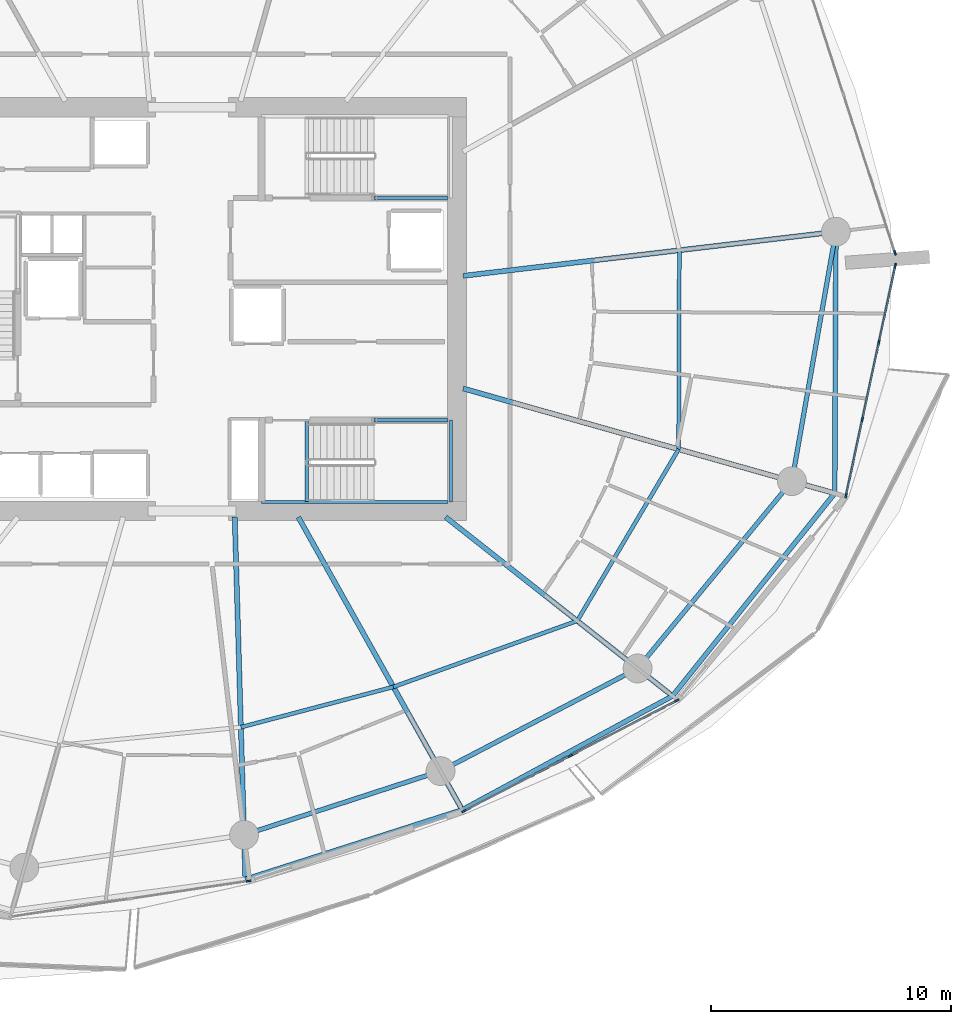
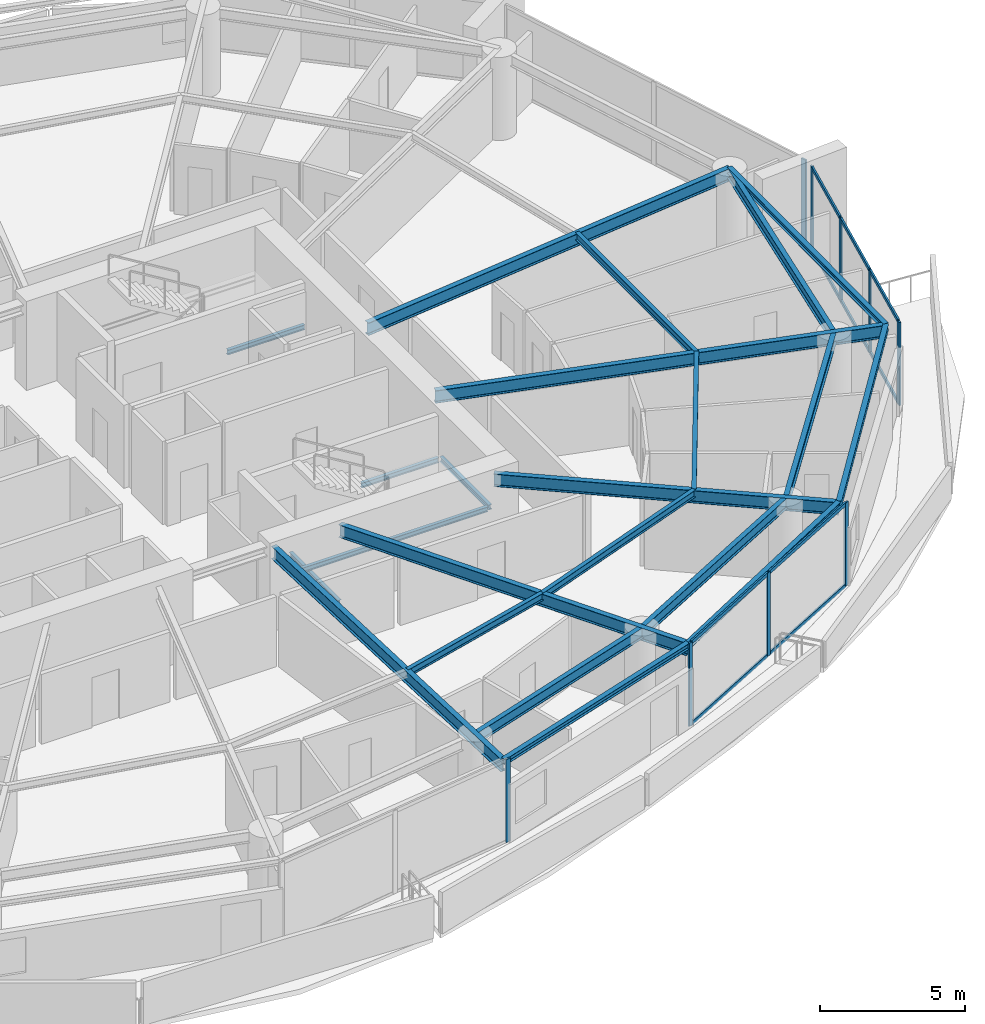
# One storey, part 7 of 23: 22 beams, 19 members, 4 elements without a shape of their own.
"""IFC4 building model written with IfcOpenShell, lengths in metres."""

from ifc_helpers import new_model, si_unit, direction, frame, origin, origin_2d, place, context, subcontext, project, spatial, rectangle, i_section, extrude, material, layer, layer_set, material_profile, profile_set, type_object, element, aggregate, save


model = new_model("IFC4")

# Units and contexts
model_context = context("Model", 3, precision=1e-05, world=origin(), true_north=direction((0.0, 1.0)))
body_context = subcontext(model_context, "Body", "Model", "MODEL_VIEW")
ifc_project = project(units=[si_unit("LENGTHUNIT", "METRE"), si_unit("AREAUNIT", "SQUARE_METRE"), si_unit("VOLUMEUNIT", "CUBIC_METRE"), si_unit("PLANEANGLEUNIT", "RADIAN"), si_unit("MASSUNIT", "GRAM", prefix="KILO")], contexts=[model_context])

# Site, building, storey
site_placement = place(None, origin())
site = spatial("IfcSite", under=ifc_project, at=site_placement, CompositionType="ELEMENT")
building_placement = place(site_placement, origin())
building = spatial("IfcBuilding", under=site, at=building_placement, Name="Kazma Halo Residences", CompositionType="ELEMENT")
storey_placement = place(building_placement, frame((0.0, 0.0, 82.64990234375)))
storey = spatial("IfcBuildingStorey", under=building, at=storey_placement, Name="L20", CompositionType="ELEMENT", Elevation=82.64990234375)

# Beams
ifc_material_1 = material(Name="Steel S355", Category="steel")
ifc_material_profile_1 = material_profile(ifc_material_1, i_section(OverallWidth=0.201904296875, OverallDepth=0.2470703125, WebThickness=0.00732421875, FlangeThickness=0.010986328125, FilletRadius=0.011962890625, at=origin_2d()), Name="W250x49.1")
ifc_profile_set_1 = profile_set([ifc_material_profile_1], Name="Steel S355")
beam_type_1 = type_object("IfcBeamType", Name="BM-BAL-CANT", PredefinedType="BEAM", material=ifc_profile_set_1)
beam_1_placement = place(storey_placement, frame((50.642578125, 18.28173828125, 3.376708984375), z_axis=(0.952319061301, 0.305103925709, 0.0), x_axis=(-0.305103925709, 0.952319061301, 0.0)))
element("IfcBeam", 1, at=beam_1_placement, inside=storey, type_object=beam_type_1, Name="L20 wave-balcony tie beam 12", PredefinedType="BEAM", context=body_context, shape_type="SweptSolid", body=[
    extrude(i_section(OverallWidth=0.201904296875, OverallDepth=0.2470703125, WebThickness=0.00732421875, FlangeThickness=0.010986328125, FilletRadius=0.011962890625, at=origin_2d()), origin(), (0.0, 0.0, 1.0), 9.473388671875),
])
beam_2_placement = place(storey_placement, frame((59.664306640625, 21.172119140625, 3.376708984375), z_axis=(0.87930438671, 0.476260218276, 0.0), x_axis=(-0.476260218276, 0.87930438671, 0.0)))
element("IfcBeam", 2, at=beam_2_placement, inside=storey, type_object=beam_type_1, Name="L20 wave-balcony tie beam 13", PredefinedType="BEAM", context=body_context, shape_type="SweptSolid", body=[
    extrude(i_section(OverallWidth=0.201904296875, OverallDepth=0.2470703125, WebThickness=0.00732421875, FlangeThickness=0.010986328125, FilletRadius=0.011962890625, at=origin_2d()), origin(), (0.0, 0.0, 1.0), 9.94677734375),
])
beam_3_placement = place(storey_placement, frame((68.41064453125, 25.909423828125, 3.376708984375), z_axis=(0.62477775999, 0.78080263231, 0.0), x_axis=(-0.78080263231, 0.62477775999, 0.0)))
element("IfcBeam", 3, at=beam_3_placement, inside=storey, type_object=beam_type_1, Name="L20 wave-balcony tie beam 14", PredefinedType="BEAM", context=body_context, shape_type="SweptSolid", body=[
    extrude(i_section(OverallWidth=0.201904296875, OverallDepth=0.2470703125, WebThickness=0.00732421875, FlangeThickness=0.010986328125, FilletRadius=0.011962890625, at=origin_2d()), origin(), (0.0, 0.0, 1.0), 10.79833984375),
])
beam_4_placement = place(storey_placement, frame((75.1572265625, 34.3408203125, 3.376708984375), z_axis=(0.004532963616, 0.999989726068, 0.0), x_axis=(-0.999989726068, 0.004532963616, 0.0)))
element("IfcBeam", 4, at=beam_4_placement, inside=storey, type_object=beam_type_1, Name="L20 wave-balcony tie beam 15", PredefinedType="BEAM", context=body_context, shape_type="SweptSolid", body=[
    extrude(i_section(OverallWidth=0.201904296875, OverallDepth=0.2470703125, WebThickness=0.00732421875, FlangeThickness=0.010986328125, FilletRadius=0.011962890625, at=origin_2d()), origin(), (0.0, 0.0, 1.0), 10.87939453125),
])
ifc_material_profile_2 = material_profile(ifc_material_1, i_section(OverallWidth=0.208984375, OverallDepth=0.532958984375, WebThickness=0.01025390625, FlangeThickness=0.015625, FilletRadius=0.01611328125, at=origin_2d()), Name="W530x92")
ifc_profile_set_2 = profile_set([ifc_material_profile_2], Name="Steel S355")
beam_type_2 = type_object("IfcBeamType", Name="BM-RAD-W530", PredefinedType="BEAM", material=ifc_profile_set_2)
beam_5_placement = place(storey_placement, frame((50.199951171875, 33.35009765625, 3.233642578125), z_axis=(0.029361929959, -0.999568845587, 0.0), x_axis=(0.999568845587, 0.029361929959, 0.0)))
element("IfcBeam", 5, at=beam_5_placement, inside=storey, type_object=beam_type_2, Name="L20 radial floor beam 12", PredefinedType="BEAM", context=body_context, shape_type="SweptSolid", body=[
    extrude(i_section(OverallWidth=0.208984375, OverallDepth=0.532958984375, WebThickness=0.01025390625, FlangeThickness=0.015625, FilletRadius=0.01611328125, at=origin_2d()), origin(), (0.0, 0.0, 1.0), 15.074951171875),
])
beam_6_placement = place(storey_placement, frame((52.84423828125, 33.35009765625, 3.233642578125), z_axis=(0.488625206529, -0.872493786536, 0.0), x_axis=(0.872493786536, 0.488625206529, 0.0)))
element("IfcBeam", 6, at=beam_6_placement, inside=storey, type_object=beam_type_2, Name="L20 radial floor beam 13", PredefinedType="BEAM", context=body_context, shape_type="SweptSolid", body=[
    extrude(i_section(OverallWidth=0.208984375, OverallDepth=0.532958984375, WebThickness=0.01025390625, FlangeThickness=0.015625, FilletRadius=0.01611328125, at=origin_2d()), origin(), (0.0, 0.0, 1.0), 13.957763671875),
])
beam_7_placement = place(storey_placement, frame((58.972412109375, 33.35009765625, 3.233642578125), z_axis=(0.785309999923, -0.619102741086, 0.0), x_axis=(0.619102741086, 0.785309999923, 0.0)))
element("IfcBeam", 7, at=beam_7_placement, inside=storey, type_object=beam_type_2, Name="L20 radial floor beam 14", PredefinedType="BEAM", context=body_context, shape_type="SweptSolid", body=[
    extrude(i_section(OverallWidth=0.208984375, OverallDepth=0.532958984375, WebThickness=0.01025390625, FlangeThickness=0.015625, FilletRadius=0.01611328125, at=origin_2d()), origin(), (0.0, 0.0, 1.0), 12.0185546875),
])
beam_8_placement = place(storey_placement, frame((59.699951171875, 38.7001953125, 3.233642578125), z_axis=(0.962455684158, -0.271438862419, 0.0), x_axis=(0.271438862419, 0.962455684158, 0.0)))
element("IfcBeam", 8, at=beam_8_placement, inside=storey, type_object=beam_type_2, Name="L20 radial floor beam 15", PredefinedType="BEAM", context=body_context, shape_type="SweptSolid", body=[
    extrude(i_section(OverallWidth=0.208984375, OverallDepth=0.532958984375, WebThickness=0.01025390625, FlangeThickness=0.015625, FilletRadius=0.01611328125, at=origin_2d()), origin(), (0.0, 0.0, 1.0), 16.060302734375),
])
beam_9_placement = place(storey_placement, frame((59.699951171875, 43.384765625, 3.233642578125), z_axis=(0.993067536486, 0.1175451742, 0.0), x_axis=(-0.1175451742, 0.993067536486, 0.0)))
element("IfcBeam", 9, at=beam_9_placement, inside=storey, type_object=beam_type_2, Name="L20 radial floor beam 16", PredefinedType="BEAM", context=body_context, shape_type="SweptSolid", body=[
    extrude(i_section(OverallWidth=0.208984375, OverallDepth=0.532958984375, WebThickness=0.01025390625, FlangeThickness=0.015625, FilletRadius=0.01611328125, at=origin_2d()), origin(), (0.0, 0.0, 1.0), 15.61474609375),
])
ifc_material_profile_3 = material_profile(ifc_material_1, i_section(OverallWidth=0.1650390625, OverallDepth=0.31005859375, WebThickness=0.005859375, FlangeThickness=0.009765625, FilletRadius=0.011962890625, at=origin_2d()), Name="W310x38.7")
ifc_profile_set_3 = profile_set([ifc_material_profile_3], Name="Steel S355")
beam_type_3 = type_object("IfcBeamType", Name="BM-SEC-W310B", PredefinedType="JOIST", material=ifc_profile_set_3)
beam_10_placement = place(storey_placement, frame((50.456787109375, 24.6103515625, 3.34521484375), z_axis=(0.966800191214, 0.255533540398, 0.0), x_axis=(-0.255533540398, 0.966800191214, 0.0)))
element("IfcBeam", 10, at=beam_10_placement, inside=storey, type_object=beam_type_3, Name="L20 circumferential floor joist 12", PredefinedType="JOIST", context=body_context, shape_type="SweptSolid", body=[
    extrude(i_section(OverallWidth=0.1650390625, OverallDepth=0.31005859375, WebThickness=0.005859375, FlangeThickness=0.009765625, FilletRadius=0.011962890625, at=origin_2d()), origin(), (0.0, 0.0, 1.0), 6.560791015625),
])
beam_11_placement = place(storey_placement, frame((56.7998046875, 26.286865234375, 3.34521484375), z_axis=(0.941097126818, 0.338136359913, 0.0), x_axis=(-0.338136359913, 0.941097126818, 0.0)))
element("IfcBeam", 11, at=beam_11_placement, inside=storey, type_object=beam_type_3, Name="L20 circumferential floor joist 13", PredefinedType="JOIST", context=body_context, shape_type="SweptSolid", body=[
    extrude(i_section(OverallWidth=0.1650390625, OverallDepth=0.31005859375, WebThickness=0.005859375, FlangeThickness=0.009765625, FilletRadius=0.011962890625, at=origin_2d()), origin(), (0.0, 0.0, 1.0), 8.12548828125),
])
beam_12_placement = place(storey_placement, frame((64.44677734375, 29.034423828125, 3.34521484375), z_axis=(0.508811652677, 0.860877867122, 0.0), x_axis=(-0.860877867122, 0.508811652677, 0.0)))
element("IfcBeam", 12, at=beam_12_placement, inside=storey, type_object=beam_type_3, Name="L20 circumferential floor joist 14", PredefinedType="JOIST", context=body_context, shape_type="SweptSolid", body=[
    extrude(i_section(OverallWidth=0.1650390625, OverallDepth=0.31005859375, WebThickness=0.005859375, FlangeThickness=0.009765625, FilletRadius=0.011962890625, at=origin_2d()), origin(), (0.0, 0.0, 1.0), 8.291015625),
])
beam_13_placement = place(storey_placement, frame((68.665283203125, 36.171875, 3.34521484375), z_axis=(0.003450899697, 0.999994045628, 0.0), x_axis=(-0.999994045628, 0.003450899697, 0.0)))
element("IfcBeam", 13, at=beam_13_placement, inside=storey, type_object=beam_type_3, Name="L20 circumferential floor joist 15", PredefinedType="JOIST", context=body_context, shape_type="SweptSolid", body=[
    extrude(i_section(OverallWidth=0.1650390625, OverallDepth=0.31005859375, WebThickness=0.005859375, FlangeThickness=0.009765625, FilletRadius=0.011962890625, at=origin_2d()), origin(), (0.0, 0.0, 1.0), 8.27734375),
])
ifc_material_profile_4 = material_profile(ifc_material_1, i_section(OverallWidth=0.18994140625, OverallDepth=0.45703125, WebThickness=0.009033203125, FlangeThickness=0.014404296875, FilletRadius=0.01611328125, at=origin_2d()), Name="W460x74")
ifc_profile_set_4 = profile_set([ifc_material_profile_4], Name="Steel S355")
beam_type_4 = type_object("IfcBeamType", Name="BM-SPN-W460", PredefinedType="BEAM", material=ifc_profile_set_4)
beam_14_placement = place(storey_placement, frame((50.58837890625, 20.130859375, 3.271484375), z_axis=(0.951054111927, 0.30902439416, 0.0), x_axis=(-0.30902439416, 0.951054111927, 0.0)))
element("IfcBeam", 14, at=beam_14_placement, inside=storey, type_object=beam_type_4, Name="L20 perimeter ring beam 12", PredefinedType="BEAM", context=body_context, shape_type="SweptSolid", body=[
    extrude(i_section(OverallWidth=0.18994140625, OverallDepth=0.45703125, WebThickness=0.009033203125, FlangeThickness=0.014404296875, FilletRadius=0.01611328125, at=origin_2d()), origin(), (0.0, 0.0, 1.0), 8.592529296875),
])
beam_15_placement = place(storey_placement, frame((58.76025390625, 22.7861328125, 3.271484375), z_axis=(0.886963229644, 0.461840047266, 0.0), x_axis=(-0.461840047266, 0.886963229644, 0.0)))
element("IfcBeam", 15, at=beam_15_placement, inside=storey, type_object=beam_type_4, Name="L20 perimeter ring beam 13", PredefinedType="BEAM", context=body_context, shape_type="SweptSolid", body=[
    extrude(i_section(OverallWidth=0.18994140625, OverallDepth=0.45703125, WebThickness=0.009033203125, FlangeThickness=0.014404296875, FilletRadius=0.01611328125, at=origin_2d()), origin(), (0.0, 0.0, 1.0), 9.242431640625),
])
beam_16_placement = place(storey_placement, frame((66.9580078125, 27.0546875, 3.271484375), z_axis=(0.635989564566, 0.771697656963, 0.0), x_axis=(-0.771697656963, 0.635989564566, 0.0)))
element("IfcBeam", 16, at=beam_16_placement, inside=storey, type_object=beam_type_4, Name="L20 perimeter ring beam 14", PredefinedType="BEAM", context=body_context, shape_type="SweptSolid", body=[
    extrude(i_section(OverallWidth=0.18994140625, OverallDepth=0.45703125, WebThickness=0.009033203125, FlangeThickness=0.014404296875, FilletRadius=0.01611328125, at=origin_2d()), origin(), (0.0, 0.0, 1.0), 10.092529296875),
])
beam_17_placement = place(storey_placement, frame((73.376708984375, 34.843017578125, 3.271484375), z_axis=(0.173653159051, 0.984806874647, 0.0), x_axis=(-0.984806874647, 0.173653159051, 0.0)))
element("IfcBeam", 17, at=beam_17_placement, inside=storey, type_object=beam_type_4, Name="L20 perimeter ring beam 15", PredefinedType="BEAM", context=body_context, shape_type="SweptSolid", body=[
    extrude(i_section(OverallWidth=0.18994140625, OverallDepth=0.45703125, WebThickness=0.009033203125, FlangeThickness=0.014404296875, FilletRadius=0.01611328125, at=origin_2d()), origin(), (0.0, 0.0, 1.0), 10.537353515625),
])
ifc_material_profile_5 = material_profile(ifc_material_1, i_section(OverallWidth=0.133056640625, OverallDepth=0.20703125, WebThickness=0.005859375, FlangeThickness=0.00830078125, FilletRadius=0.010009765625, at=origin_2d()), Name="W200x26.6")
ifc_profile_set_5 = profile_set([ifc_material_profile_5], Name="Steel S355")
beam_type_5 = type_object("IfcBeamType", Name="BM-TRIM-W200", PredefinedType="BEAM", material=ifc_profile_set_5)
beam_18_placement = place(storey_placement, frame((53.199951171875, 34.0, -0.35986328125), z_axis=(0.0, 1.0, 0.0), x_axis=(-1.0, 0.0, 0.0)))
element("IfcBeam", 18, at=beam_18_placement, inside=storey, type_object=beam_type_5, Name="L20 ST-03 floor landing support beam", PredefinedType="BEAM", context=body_context, shape_type="SweptSolid", body=[
    extrude(i_section(OverallWidth=0.133056640625, OverallDepth=0.20703125, WebThickness=0.005859375, FlangeThickness=0.00830078125, FilletRadius=0.010009765625, at=origin_2d()), origin(), (0.0, 0.0, 1.0), 3.3798828125),
])
beam_19_placement = place(storey_placement, frame((56.0, 46.6201171875, 1.570068359375), z_axis=(1.0, 0.0, 0.0), x_axis=(0.0, 1.0, 0.0)))
element("IfcBeam", 19, at=beam_19_placement, inside=storey, type_object=beam_type_5, Name="L20 ST-02 landing south wall ledger", PredefinedType="BEAM", context=body_context, shape_type="SweptSolid", body=[
    extrude(i_section(OverallWidth=0.133056640625, OverallDepth=0.20703125, WebThickness=0.005859375, FlangeThickness=0.00830078125, FilletRadius=0.010009765625, at=origin_2d()), origin(), (0.0, 0.0, 1.0), 3.070068359375),
])
beam_20_placement = place(storey_placement, frame((51.31005859375, 33.97998046875, 1.570068359375), z_axis=(1.0, 0.0, 0.0), x_axis=(0.0, 1.0, 0.0)))
element("IfcBeam", 20, at=beam_20_placement, inside=storey, type_object=beam_type_5, Name="L20 ST-03 landing south wall ledger", PredefinedType="BEAM", context=body_context, shape_type="SweptSolid", body=[
    extrude(i_section(OverallWidth=0.133056640625, OverallDepth=0.20703125, WebThickness=0.005859375, FlangeThickness=0.00830078125, FilletRadius=0.010009765625, at=origin_2d()), origin(), (0.0, 0.0, 1.0), 7.760009765625),
])
beam_21_placement = place(storey_placement, frame((56.0, 37.3798828125, 1.570068359375), z_axis=(1.0, 0.0, 0.0), x_axis=(0.0, 1.0, 0.0)))
element("IfcBeam", 21, at=beam_21_placement, inside=storey, type_object=beam_type_5, Name="L20 ST-03 landing north wall ledger", PredefinedType="BEAM", context=body_context, shape_type="SweptSolid", body=[
    extrude(i_section(OverallWidth=0.133056640625, OverallDepth=0.20703125, WebThickness=0.005859375, FlangeThickness=0.00830078125, FilletRadius=0.010009765625, at=origin_2d()), origin(), (0.0, 0.0, 1.0), 3.070068359375),
])
beam_22_placement = place(storey_placement, frame((59.18994140625, 33.97998046875, 1.570068359375), z_axis=(0.0, 1.0, 0.0), x_axis=(-1.0, 0.0, 0.0)))
element("IfcBeam", 22, at=beam_22_placement, inside=storey, type_object=beam_type_5, Name="L20 ST-03 landing end wall ledger", PredefinedType="BEAM", context=body_context, shape_type="SweptSolid", body=[
    extrude(i_section(OverallWidth=0.133056640625, OverallDepth=0.20703125, WebThickness=0.005859375, FlangeThickness=0.00830078125, FilletRadius=0.010009765625, at=origin_2d()), origin(), (0.0, 0.0, 1.0), 3.39990234375),
])

# Curtain wall, member
ifc_material_2 = material(Name="Aluminium AW-6063 T6 and Triple-Silver Low-E Glass", Category="aluminium")
ifc_layer = layer(ifc_material_2, 0.199951171875)
ifc_layer_set = layer_set([ifc_layer], Name="Aluminium AW-6063 T6 and Triple-Silver Low-E Glass")
curtain_wall_type = type_object("IfcCurtainWallType", Name="CW-SYS-3", PredefinedType="NOTDEFINED", material=ifc_layer_set)
curtain_wall_1_placement = place(storey_placement, origin())
curtain_wall_1 = element("IfcCurtainWall", 23, at=curtain_wall_1_placement, inside=storey, type_object=curtain_wall_type, Name="L20 unitised curtain wall B11", PredefinedType="NOTDEFINED")
ifc_material_3 = material(Name="Aluminium AW-6063 T6", Category="aluminium")
ifc_material_profile_6 = material_profile(ifc_material_3, rectangle(XDim=0.070068359375, YDim=0.199951171875, at=origin_2d()), Name="CWM-70x200")
ifc_profile_set_6 = profile_set([ifc_material_profile_6], Name="Aluminium AW-6063 T6")
member_type_1 = type_object("IfcMemberType", Name="CW-SYS-3-MUL", PredefinedType="MULLION", material=ifc_profile_set_6)
member_1_placement = place(storey_placement, frame((50.780029296875, 18.21337890625, 0.0), z_axis=(0.0, 0.0, 1.0), x_axis=(-0.148717330409, 0.988879747814, 0.0)))
member_1 = element("IfcMember", 24, at=member_1_placement, type_object=member_type_1, Name="CWS-3 mullion 3", PredefinedType="MULLION", context=body_context, shape_type="SweptSolid", body=[
    extrude(rectangle(XDim=0.070068359375, YDim=0.199951171875, at=origin_2d()), origin(), (0.0, 0.0, 1.0), 3.5),
])
aggregate(curtain_wall_1, [member_1])

# Curtain wall, members
curtain_wall_2_placement = place(storey_placement, origin())
curtain_wall_2 = element("IfcCurtainWall", 25, at=curtain_wall_2_placement, inside=storey, type_object=curtain_wall_type, Name="L20 unitised curtain wall B13", PredefinedType="NOTDEFINED")
member_2_placement = place(storey_placement, frame((59.732177734375, 21.1220703125, 0.0), z_axis=(0.0, 0.0, 1.0), x_axis=(-0.460932159481, 0.887435374749, 0.0)))
member_2 = element("IfcMember", 26, at=member_2_placement, type_object=member_type_1, Name="CWS-3 mullion 1", PredefinedType="MULLION", context=body_context, shape_type="SweptSolid", body=[
    extrude(rectangle(XDim=0.070068359375, YDim=0.199951171875, at=origin_2d()), origin(), (0.0, 0.0, 1.0), 3.5),
])
member_3_placement = place(storey_placement, frame((64.1630859375, 23.42333984375, 0.0), z_axis=(0.0, 0.0, 1.0), x_axis=(-0.460932159481, 0.887435374749, 0.0)))
member_3 = element("IfcMember", 27, at=member_3_placement, type_object=member_type_1, Name="CWS-3 mullion 2", PredefinedType="MULLION", context=body_context, shape_type="SweptSolid", body=[
    extrude(rectangle(XDim=0.070068359375, YDim=0.199951171875, at=origin_2d()), origin(), (0.0, 0.0, 1.0), 3.5),
])
member_4_placement = place(storey_placement, frame((68.59375, 25.724609375, 0.0), z_axis=(0.0, 0.0, 1.0), x_axis=(-0.460932159481, 0.887435374749, 0.0)))
member_4 = element("IfcMember", 28, at=member_4_placement, type_object=member_type_1, Name="CWS-3 mullion 3", PredefinedType="MULLION", context=body_context, shape_type="SweptSolid", body=[
    extrude(rectangle(XDim=0.070068359375, YDim=0.199951171875, at=origin_2d()), origin(), (0.0, 0.0, 1.0), 3.5),
])

curtain_wall_3_placement = place(storey_placement, origin())
curtain_wall_3 = element("IfcCurtainWall", 29, at=curtain_wall_3_placement, inside=storey, type_object=curtain_wall_type, Name="L20 unitised curtain wall B15", PredefinedType="NOTDEFINED")
member_5_placement = place(storey_placement, frame((75.6259765625, 34.244873046875, 0.0), z_axis=(0.0, 0.0, 1.0), x_axis=(-0.977774176093, 0.209660822677, 0.0)))
member_5 = element("IfcMember", 30, at=member_5_placement, type_object=member_type_1, Name="CWS-3 mullion 1", PredefinedType="MULLION", context=body_context, shape_type="SweptSolid", body=[
    extrude(rectangle(XDim=0.070068359375, YDim=0.199951171875, at=origin_2d()), origin(), (0.0, 0.0, 1.0), 3.5),
])
member_6_placement = place(storey_placement, frame((76.30712890625, 37.4208984375, 0.0), z_axis=(0.0, 0.0, 1.0), x_axis=(-0.977774176093, 0.209660822677, 0.0)))
member_6 = element("IfcMember", 31, at=member_6_placement, type_object=member_type_1, Name="CWS-3 mullion 2", PredefinedType="MULLION", context=body_context, shape_type="SweptSolid", body=[
    extrude(rectangle(XDim=0.070068359375, YDim=0.199951171875, at=origin_2d()), origin(), (0.0, 0.0, 1.0), 3.5),
])
member_7_placement = place(storey_placement, frame((76.995361328125, 40.63134765625, 0.0), z_axis=(0.0, 0.0, 1.0), x_axis=(-0.977774176093, 0.209660822677, 0.0)))
member_7 = element("IfcMember", 32, at=member_7_placement, type_object=member_type_1, Name="CWS-3 mullion 3", PredefinedType="MULLION", context=body_context, shape_type="SweptSolid", body=[
    extrude(rectangle(XDim=0.070068359375, YDim=0.199951171875, at=origin_2d()), origin(), (0.0, 0.0, 1.0), 3.5),
])
member_8_placement = place(storey_placement, frame((77.676513671875, 43.807373046875, 0.0), z_axis=(0.0, 0.0, 1.0), x_axis=(-0.977774176093, 0.209660822677, 0.0)))
member_8 = element("IfcMember", 33, at=member_8_placement, type_object=member_type_1, Name="CWS-3 mullion 4", PredefinedType="MULLION", context=body_context, shape_type="SweptSolid", body=[
    extrude(rectangle(XDim=0.070068359375, YDim=0.199951171875, at=origin_2d()), origin(), (0.0, 0.0, 1.0), 3.5),
])

# Curtain wall, member
curtain_wall_4_placement = place(storey_placement, origin())
curtain_wall_4 = element("IfcCurtainWall", 34, at=curtain_wall_4_placement, inside=storey, type_object=curtain_wall_type, Name="L20 unitised curtain wall B16", PredefinedType="NOTDEFINED")
member_9_placement = place(storey_placement, frame((77.665283203125, 44.3427734375, 0.0), z_axis=(0.0, 0.0, 1.0), x_axis=(-0.951057722508, -0.309013282008, 0.0)))
member_9 = element("IfcMember", 35, at=member_9_placement, type_object=member_type_1, Name="CWS-3 mullion 1", PredefinedType="MULLION", context=body_context, shape_type="SweptSolid", body=[
    extrude(rectangle(XDim=0.070068359375, YDim=0.199951171875, at=origin_2d()), origin(), (0.0, 0.0, 1.0), 3.5),
])
aggregate(curtain_wall_4, [member_9])

# Member
ifc_material_profile_7 = material_profile(ifc_material_3, rectangle(XDim=0.070068359375, YDim=0.14990234375, at=origin_2d()), Name="CWT-70x150")
ifc_profile_set_7 = profile_set([ifc_material_profile_7], Name="Aluminium AW-6063 T6")
member_type_2 = type_object("IfcMemberType", Name="CW-SYS-3-TRN", PredefinedType="USERDEFINED", material=ifc_profile_set_7)
member_10_placement = place(storey_placement, frame((59.763427734375, 21.13818359375, 0.03515625), z_axis=(0.887427024944, 0.460948235054, 0.0), x_axis=(-0.460948235054, 0.887427024944, 0.0)))
member_10 = element("IfcMember", 36, at=member_10_placement, type_object=member_type_2, Name="CWS-3 transom 1.1", ObjectType="TRANSOM", PredefinedType="USERDEFINED", context=body_context, shape_type="SweptSolid", body=[
    extrude(rectangle(XDim=0.070068359375, YDim=0.14990234375, at=origin_2d()), origin(), (0.0, 0.0, 1.0), 4.922607421875),
])

member_11_placement = place(storey_placement, frame((59.763427734375, 21.13818359375, 3.465087890625), z_axis=(0.887427024944, 0.460948235054, 0.0), x_axis=(-0.460948235054, 0.887427024944, 0.0)))
member_11 = element("IfcMember", 37, at=member_11_placement, type_object=member_type_2, Name="CWS-3 transom 1.2", ObjectType="TRANSOM", PredefinedType="USERDEFINED", context=body_context, shape_type="SweptSolid", body=[
    extrude(rectangle(XDim=0.070068359375, YDim=0.14990234375, at=origin_2d()), origin(), (0.0, 0.0, 1.0), 4.922607421875),
])

member_12_placement = place(storey_placement, frame((64.194091796875, 23.439453125, 0.03515625), z_axis=(0.887437562141, 0.460927948058, 0.0), x_axis=(-0.460927948058, 0.887437562141, 0.0)))
member_12 = element("IfcMember", 38, at=member_12_placement, type_object=member_type_2, Name="CWS-3 transom 2.1", ObjectType="TRANSOM", PredefinedType="USERDEFINED", context=body_context, shape_type="SweptSolid", body=[
    extrude(rectangle(XDim=0.070068359375, YDim=0.14990234375, at=origin_2d()), origin(), (0.0, 0.0, 1.0), 4.9228515625),
])

member_13_placement = place(storey_placement, frame((64.194091796875, 23.439453125, 3.465087890625), z_axis=(0.887437562141, 0.460927948058, 0.0), x_axis=(-0.460927948058, 0.887437562141, 0.0)))
member_13 = element("IfcMember", 39, at=member_13_placement, type_object=member_type_2, Name="CWS-3 transom 2.2", ObjectType="TRANSOM", PredefinedType="USERDEFINED", context=body_context, shape_type="SweptSolid", body=[
    extrude(rectangle(XDim=0.070068359375, YDim=0.14990234375, at=origin_2d()), origin(), (0.0, 0.0, 1.0), 4.9228515625),
])

aggregate(curtain_wall_2, [member_2, member_3, member_4, member_10, member_11, member_12, member_13])

member_14_placement = place(storey_placement, frame((75.63330078125, 34.279052734375, 0.03515625), z_axis=(0.209702197956, 0.977765303216, 0.0), x_axis=(-0.977765303216, 0.209702197956, 0.0)))
member_14 = element("IfcMember", 40, at=member_14_placement, type_object=member_type_2, Name="CWS-3 transom 1.1", ObjectType="TRANSOM", PredefinedType="USERDEFINED", context=body_context, shape_type="SweptSolid", body=[
    extrude(rectangle(XDim=0.070068359375, YDim=0.14990234375, at=origin_2d()), origin(), (0.0, 0.0, 1.0), 3.17822265625),
])

member_15_placement = place(storey_placement, frame((75.63330078125, 34.279052734375, 3.465087890625), z_axis=(0.209702197956, 0.977765303216, 0.0), x_axis=(-0.977765303216, 0.209702197956, 0.0)))
member_15 = element("IfcMember", 41, at=member_15_placement, type_object=member_type_2, Name="CWS-3 transom 1.2", ObjectType="TRANSOM", PredefinedType="USERDEFINED", context=body_context, shape_type="SweptSolid", body=[
    extrude(rectangle(XDim=0.070068359375, YDim=0.14990234375, at=origin_2d()), origin(), (0.0, 0.0, 1.0), 3.17822265625),
])

member_16_placement = place(storey_placement, frame((76.314453125, 37.455078125, 0.03515625), z_axis=(0.209627675811, 0.977781283076, 0.0), x_axis=(-0.977781283076, 0.209627675811, 0.0)))
member_16 = element("IfcMember", 42, at=member_16_placement, type_object=member_type_2, Name="CWS-3 transom 2.1", ObjectType="TRANSOM", PredefinedType="USERDEFINED", context=body_context, shape_type="SweptSolid", body=[
    extrude(rectangle(XDim=0.070068359375, YDim=0.14990234375, at=origin_2d()), origin(), (0.0, 0.0, 1.0), 3.213134765625),
])

member_17_placement = place(storey_placement, frame((76.314453125, 37.455078125, 3.465087890625), z_axis=(0.209627675811, 0.977781283076, 0.0), x_axis=(-0.977781283076, 0.209627675811, 0.0)))
member_17 = element("IfcMember", 43, at=member_17_placement, type_object=member_type_2, Name="CWS-3 transom 2.2", ObjectType="TRANSOM", PredefinedType="USERDEFINED", context=body_context, shape_type="SweptSolid", body=[
    extrude(rectangle(XDim=0.070068359375, YDim=0.14990234375, at=origin_2d()), origin(), (0.0, 0.0, 1.0), 3.213134765625),
])

member_18_placement = place(storey_placement, frame((77.002685546875, 40.66552734375, 0.03515625), z_axis=(0.209717949017, 0.977761924939, 0.0), x_axis=(-0.977761924939, 0.209717949017, 0.0)))
member_18 = element("IfcMember", 44, at=member_18_placement, type_object=member_type_2, Name="CWS-3 transom 3.1", ObjectType="TRANSOM", PredefinedType="USERDEFINED", context=body_context, shape_type="SweptSolid", body=[
    extrude(rectangle(XDim=0.070068359375, YDim=0.14990234375, at=origin_2d()), origin(), (0.0, 0.0, 1.0), 3.177978515625),
])

member_19_placement = place(storey_placement, frame((77.002685546875, 40.66552734375, 3.465087890625), z_axis=(0.209717949017, 0.977761924939, 0.0), x_axis=(-0.977761924939, 0.209717949017, 0.0)))
member_19 = element("IfcMember", 45, at=member_19_placement, type_object=member_type_2, Name="CWS-3 transom 3.2", ObjectType="TRANSOM", PredefinedType="USERDEFINED", context=body_context, shape_type="SweptSolid", body=[
    extrude(rectangle(XDim=0.070068359375, YDim=0.14990234375, at=origin_2d()), origin(), (0.0, 0.0, 1.0), 3.177978515625),
])

aggregate(curtain_wall_3, [member_5, member_6, member_7, member_8, member_14, member_15, member_16, member_17, member_18, member_19])

save(model, "model.ifc")
